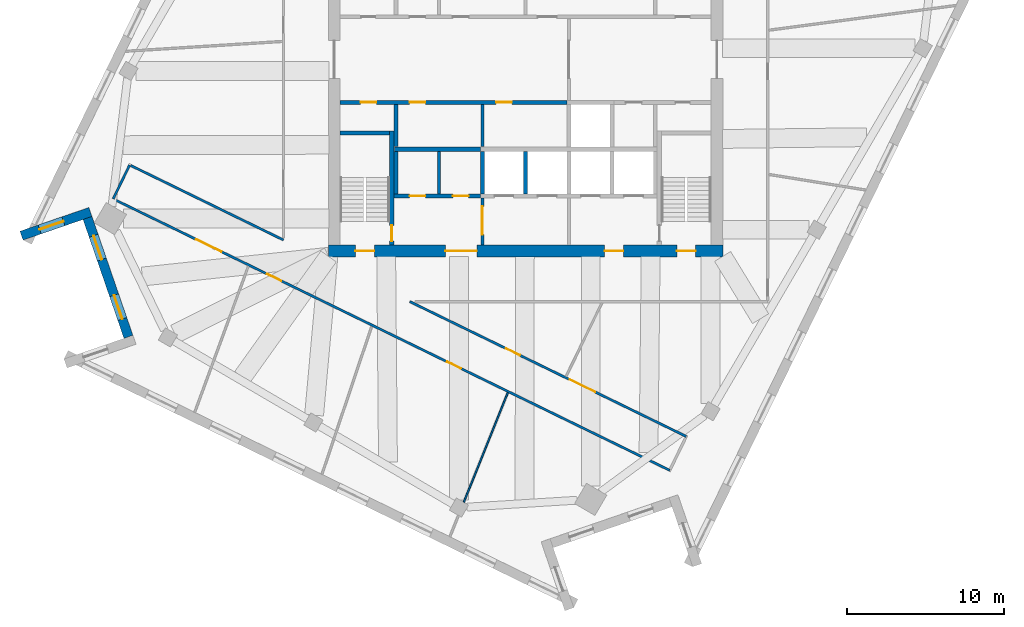
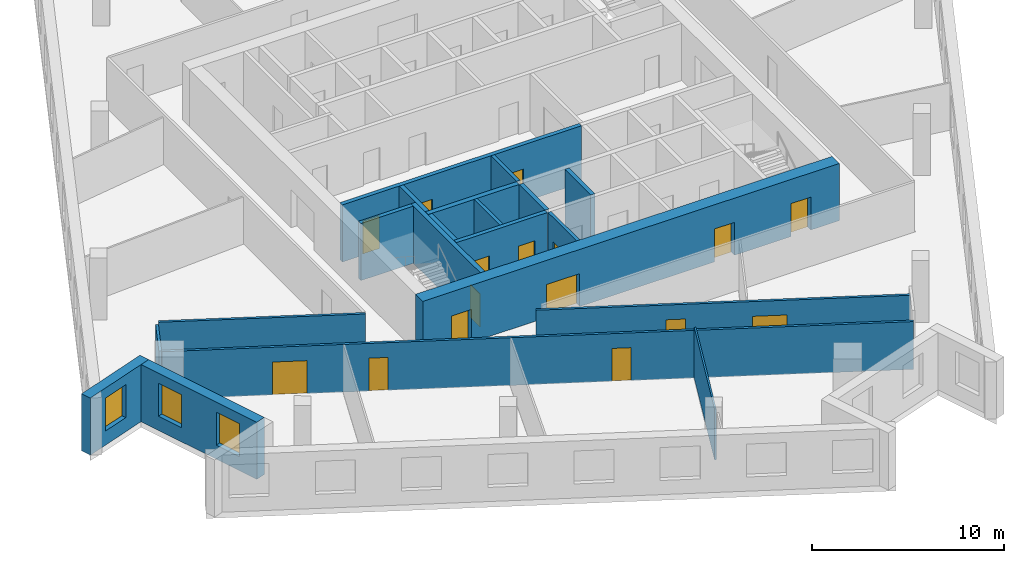
# One storey, part 6 of 13: 20 walls, 16 doors, 3 windows, 19 openings.
"""IFC4 building model written with IfcOpenShell, lengths in metres."""

from ifc_helpers import new_model, si_unit, direction, frame, frame_2d, origin, place, context, subcontext, project, spatial, rectangle, extrude, material, layer, layer_set, type_object, element, fill, save


model = new_model("IFC4")

# Units and contexts
model_context = context("Model", 3, precision=1e-05, world=origin(), true_north=direction((0.0, 1.0)))
body_context = subcontext(model_context, "Body", "Model", "MODEL_VIEW")
ifc_project = project(units=[si_unit("LENGTHUNIT", "METRE"), si_unit("AREAUNIT", "SQUARE_METRE"), si_unit("VOLUMEUNIT", "CUBIC_METRE"), si_unit("PLANEANGLEUNIT", "RADIAN"), si_unit("MASSUNIT", "GRAM", prefix="KILO")], contexts=[model_context])

# Site, building, storey
site_placement = place(None, origin())
site = spatial("IfcSite", under=ifc_project, at=site_placement, CompositionType="ELEMENT")
building_placement = place(site_placement, origin())
building = spatial("IfcBuilding", under=site, at=building_placement, Name="Dilmun Exchange Tower", CompositionType="ELEMENT")
storey_placement = place(building_placement, frame((0.0, 0.0, 282.89990234375)))
storey = spatial("IfcBuildingStorey", under=building, at=storey_placement, Name="L67", CompositionType="ELEMENT", Elevation=282.89990234375)

# Wall, opening, door
ifc_material_1 = material(Name="Concrete C40/50", Category="concrete")
ifc_layer_1 = layer(ifc_material_1, 0.199951171875)
ifc_layer_set_1 = layer_set([ifc_layer_1], Name="Concrete C40/50")
wall_type_1 = type_object("IfcWallType", Name="Core partition wall 200", PredefinedType="PARTITIONING", material=ifc_layer_set_1)
wall_1_placement = place(storey_placement, frame((-2.75, -11.794921875, 0.0), z_axis=(0.0, 0.0, 1.0), x_axis=(0.0, 1.0, 0.0)))
wall_1 = element("IfcWall", 1, at=wall_1_placement, inside=storey, type_object=wall_type_1, Name="L67 core partition wall 01", PredefinedType="PARTITIONING", context=body_context, shape_type="SweptSolid", body=[
    extrude(rectangle(XDim=2.989990234375, YDim=0.199951171875, at=frame_2d((1.4951171875, 0.0))), origin(), (0.0, 0.0, 1.0), 3.64013671875),
])
opening_1_placement = place(wall_1_placement, frame((0.657470703125, 0.0, 0.0)))
opening_1 = element("IfcOpeningElement", 2, at=opening_1_placement, cuts=wall_1, Name="Opening CD5", PredefinedType="OPENING", context=body_context, shape_type="SweptSolid", body=[
    extrude(rectangle(XDim=1.800048828125, YDim=2.10009765625, at=frame_2d((0.89990234375, 1.050048828125))), frame((0.0, 0.10986328125, 0.0), z_axis=(0.0, -1.0, 0.0), x_axis=(1.0, 0.0, 0.0)), (0.0, 0.0, 1.0), 0.219970703125),
])
ifc_material_2 = material(Name="Fire-rated steel door set", Category="steel")
door_type_1 = type_object("IfcDoorType", Name="Stair exit door 1800x2100", OperationType="SINGLE_SWING_LEFT", PredefinedType="DOOR", material=ifc_material_2)
door_1_placement = place(opening_1_placement, origin())
door_1 = element("IfcDoor", 3, at=door_1_placement, inside=storey, type_object=door_type_1, Name="L67 door Service lobby east", OperationType="SINGLE_SWING_LEFT", OverallHeight=2.10009765625, OverallWidth=1.800048828125, PredefinedType="DOOR", context=body_context, shape_type="SweptSolid", body=[
    extrude(rectangle(XDim=1.800048828125, YDim=2.10009765625, at=frame_2d((0.89990234375, 1.050048828125))), frame((0.0, 0.02490234375, 0.0), z_axis=(0.0, -1.0, 0.0), x_axis=(1.0, 0.0, 0.0)), (0.0, 0.0, 1.0), 0.050048828125),
])
fill(opening_1, door_1)

# Walls
for number, where, z_axis, x_axis, name in (
    (4, (-5.5, -8.544921875, 0.0), (0.0, 0.0, 1.0), (0.0, 1.0, 0.0), "L67 core partition wall 05"),
    (5, (-2.75, -5.544921875, 0.0), (0.0, 0.0, 1.0), (0.0, 1.0, 0.0), "L67 core partition wall 08"),
):
    element("IfcWall", number, at=place(storey_placement, frame(where, z_axis=z_axis, x_axis=x_axis)), inside=storey, type_object=wall_type_1, Name=name, PredefinedType="PARTITIONING", context=body_context, shape_type="SweptSolid", body=[
        extrude(rectangle(XDim=2.68994140625, YDim=0.199951171875, at=frame_2d((1.344970703125, 0.0))), origin(), (0.0, 0.0, 1.0), 3.64013671875),
    ])

# Wall, openings, doors
ifc_layer_2 = layer(ifc_material_1, 0.25)
ifc_layer_set_2 = layer_set([ifc_layer_2], Name="Concrete C40/50")
wall_type_2 = type_object("IfcWallType", Name="Core partition wall 250", PredefinedType="PARTITIONING", material=ifc_layer_set_2)
wall_2_placement = place(storey_placement, frame((-8.3701171875, -8.675048828125, 0.0), z_axis=(0.0, 0.0, 1.0), x_axis=(1.0, 0.0, 0.0)))
wall_2 = element("IfcWall", 6, at=wall_2_placement, inside=storey, type_object=wall_type_2, Name="L67 core partition wall 03", PredefinedType="PARTITIONING", context=body_context, shape_type="SweptSolid", body=[
    extrude(rectangle(XDim=5.490234375, YDim=0.25, at=frame_2d((2.7451171875, 0.0))), origin(), (0.0, 0.0, 1.0), 3.64013671875),
])
opening_2_placement = place(wall_2_placement, frame((0.9951171875, 0.0, 0.0)))
opening_2 = element("IfcOpeningElement", 7, at=opening_2_placement, cuts=wall_2, Name="Opening CD4", PredefinedType="OPENING", context=body_context, shape_type="SweptSolid", body=[
    extrude(rectangle(XDim=1.0, YDim=2.10009765625, at=frame_2d((0.5, 1.050048828125))), frame((0.0, 0.135009765625, 0.0), z_axis=(0.0, -1.0, 0.0), x_axis=(1.0, 0.0, 0.0)), (0.0, 0.0, 1.0), 0.27001953125),
])
opening_3_placement = place(wall_2_placement, frame((3.7451171875, 0.0, 0.0)))
opening_3 = element("IfcOpeningElement", 8, at=opening_3_placement, cuts=wall_2, Name="Opening CD4", PredefinedType="OPENING", context=body_context, shape_type="SweptSolid", body=[
    extrude(rectangle(XDim=1.0, YDim=2.10009765625, at=frame_2d((0.5, 1.050048828125))), frame((0.0, 0.135009765625, 0.0), z_axis=(0.0, -1.0, 0.0), x_axis=(1.0, 0.0, 0.0)), (0.0, 0.0, 1.0), 0.27001953125),
])
door_type_2 = type_object("IfcDoorType", Name="Core room door 1000x2100", OperationType="SINGLE_SWING_LEFT", PredefinedType="DOOR", material=ifc_material_2)
door_2_placement = place(opening_2_placement, origin())
door_2 = element("IfcDoor", 9, at=door_2_placement, inside=storey, type_object=door_type_2, Name="L67 door Male WC", OperationType="SINGLE_SWING_RIGHT", OverallHeight=2.10009765625, OverallWidth=1.0, PredefinedType="DOOR", context=body_context, shape_type="SweptSolid", body=[
    extrude(rectangle(XDim=1.0, YDim=2.10009765625, at=frame_2d((0.5, 1.050048828125))), frame((0.0, 0.02490234375, 0.0), z_axis=(0.0, -1.0, 0.0), x_axis=(1.0, 0.0, 0.0)), (0.0, 0.0, 1.0), 0.050048828125),
])
fill(opening_2, door_2)
door_3_placement = place(opening_3_placement, origin())
door_3 = element("IfcDoor", 10, at=door_3_placement, inside=storey, type_object=door_type_2, Name="L67 door Female WC", OperationType="SINGLE_SWING_RIGHT", OverallHeight=2.10009765625, OverallWidth=1.0, PredefinedType="DOOR", context=body_context, shape_type="SweptSolid", body=[
    extrude(rectangle(XDim=1.0, YDim=2.10009765625, at=frame_2d((0.5, 1.050048828125))), frame((0.0, 0.02490234375, 0.0), z_axis=(0.0, -1.0, 0.0), x_axis=(1.0, 0.0, 0.0)), (0.0, 0.0, 1.0), 0.050048828125),
])
fill(opening_3, door_3)

# Walls
for number, where, z_axis, x_axis, name in (
    (11, (-8.25, -8.544921875, 0.0), (0.0, 0.0, 1.0), (0.0, 1.0, 0.0), "L67 core partition wall 04"),
    (12, (-8.25, -5.544921875, 0.0), (0.0, 0.0, 1.0), (0.0, 1.0, 0.0), "L67 core partition wall 07"),
):
    element("IfcWall", number, at=place(storey_placement, frame(where, z_axis=z_axis, x_axis=x_axis)), inside=storey, type_object=wall_type_2, Name=name, PredefinedType="PARTITIONING", context=body_context, shape_type="SweptSolid", body=[
        extrude(rectangle(XDim=2.68994140625, YDim=0.25, at=frame_2d((1.344970703125, 0.0))), origin(), (0.0, 0.0, 1.0), 3.64013671875),
    ])

# Wall, openings, doors
wall_3_placement = place(storey_placement, frame((-11.794921875, -2.72509765625, 0.0), z_axis=(0.0, 0.0, 1.0), x_axis=(1.0, 0.0, 0.0)))
wall_3 = element("IfcWall", 13, at=wall_3_placement, inside=storey, type_object=wall_type_2, Name="L67 core partition wall 10", PredefinedType="PARTITIONING", context=body_context, shape_type="SweptSolid", body=[
    extrude(rectangle(XDim=14.4150390625, YDim=0.25, at=frame_2d((7.20751953125, 0.0))), origin(), (0.0, 0.0, 1.0), 3.64013671875),
])
opening_4_placement = place(wall_3_placement, frame((1.294921875, 0.0, 0.0)))
opening_4 = element("IfcOpeningElement", 14, at=opening_4_placement, cuts=wall_3, Name="Opening CD4", PredefinedType="OPENING", context=body_context, shape_type="SweptSolid", body=[
    extrude(rectangle(XDim=1.0, YDim=2.10009765625, at=frame_2d((0.5, 1.050048828125))), frame((0.0, 0.135009765625, 0.0), z_axis=(0.0, -1.0, 0.0), x_axis=(1.0, 0.0, 0.0)), (0.0, 0.0, 1.0), 0.27001953125),
])
opening_5_placement = place(wall_3_placement, frame((4.419921875, 0.0, 0.0)))
opening_5 = element("IfcOpeningElement", 15, at=opening_5_placement, cuts=wall_3, Name="Opening CD4", PredefinedType="OPENING", context=body_context, shape_type="SweptSolid", body=[
    extrude(rectangle(XDim=1.0, YDim=2.10009765625, at=frame_2d((0.5, 1.050048828125))), frame((0.0, 0.135009765625, 0.0), z_axis=(0.0, -1.0, 0.0), x_axis=(1.0, 0.0, 0.0)), (0.0, 0.0, 1.0), 0.27001953125),
])
opening_6_placement = place(wall_3_placement, frame((9.919921875, 0.0, 0.0)))
opening_6 = element("IfcOpeningElement", 16, at=opening_6_placement, cuts=wall_3, Name="Opening CD4", PredefinedType="OPENING", context=body_context, shape_type="SweptSolid", body=[
    extrude(rectangle(XDim=1.0, YDim=2.10009765625, at=frame_2d((0.5, 1.050048828125))), frame((0.0, 0.135009765625, 0.0), z_axis=(0.0, -1.0, 0.0), x_axis=(1.0, 0.0, 0.0)), (0.0, 0.0, 1.0), 0.27001953125),
])
door_4_placement = place(opening_4_placement, origin())
door_4 = element("IfcDoor", 17, at=door_4_placement, inside=storey, type_object=door_type_2, Name="L67 door Accessible WC", OperationType="SINGLE_SWING_RIGHT", OverallHeight=2.10009765625, OverallWidth=1.0, PredefinedType="DOOR", context=body_context, shape_type="SweptSolid", body=[
    extrude(rectangle(XDim=1.0, YDim=2.10009765625, at=frame_2d((0.5, 1.050048828125))), frame((0.0, 0.02490234375, 0.0), z_axis=(0.0, -1.0, 0.0), x_axis=(1.0, 0.0, 0.0)), (0.0, 0.0, 1.0), 0.050048828125),
])
fill(opening_4, door_4)
door_5_placement = place(opening_5_placement, origin())
door_5 = element("IfcDoor", 18, at=door_5_placement, inside=storey, type_object=door_type_2, Name="L67 door Mechanical room", OperationType="SINGLE_SWING_RIGHT", OverallHeight=2.10009765625, OverallWidth=1.0, PredefinedType="DOOR", context=body_context, shape_type="SweptSolid", body=[
    extrude(rectangle(XDim=1.0, YDim=2.10009765625, at=frame_2d((0.5, 1.050048828125))), frame((0.0, 0.02490234375, 0.0), z_axis=(0.0, -1.0, 0.0), x_axis=(1.0, 0.0, 0.0)), (0.0, 0.0, 1.0), 0.050048828125),
])
fill(opening_5, door_5)
door_6_placement = place(opening_6_placement, origin())
door_6 = element("IfcDoor", 19, at=door_6_placement, inside=storey, type_object=door_type_2, Name="L67 door Tenant services room", OperationType="SINGLE_SWING_RIGHT", OverallHeight=2.10009765625, OverallWidth=1.0, PredefinedType="DOOR", context=body_context, shape_type="SweptSolid", body=[
    extrude(rectangle(XDim=1.0, YDim=2.10009765625, at=frame_2d((0.5, 1.050048828125))), frame((0.0, 0.02490234375, 0.0), z_axis=(0.0, -1.0, 0.0), x_axis=(1.0, 0.0, 0.0)), (0.0, 0.0, 1.0), 0.050048828125),
])
fill(opening_6, door_6)

# Wall
ifc_layer_3 = layer(ifc_material_1, 0.300048828125)
ifc_layer_set_3 = layer_set([ifc_layer_3], Name="Concrete C40/50")
wall_type_3 = type_object("IfcWallType", Name="Core partition wall 300", PredefinedType="PARTITIONING", material=ifc_layer_set_3)
wall_4_placement = place(storey_placement, frame((-8.35009765625, -5.699951171875, 0.0), z_axis=(0.0, 0.0, 1.0), x_axis=(1.0, 0.0, 0.0)))
element("IfcWall", 20, at=wall_4_placement, inside=storey, type_object=wall_type_3, Name="L67 core partition wall 06", PredefinedType="PARTITIONING", context=body_context, shape_type="SweptSolid", body=[
    extrude(rectangle(XDim=5.47021484375, YDim=0.300048828125, at=frame_2d((2.735107421875, 0.0))), origin(), (0.0, 0.0, 1.0), 3.64013671875),
])

# Wall, openings, doors
ifc_material_3 = material(Name="Concrete C50/60", Category="concrete")
ifc_layer_4 = layer(ifc_material_3, 0.75)
ifc_layer_set_4 = layer_set([ifc_layer_4], Name="Concrete C50/60")
wall_type_4 = type_object("IfcWallType", Name="Core shear wall 750 Concrete C50/60", PredefinedType="SHEAR", material=ifc_layer_set_4)
wall_5_placement = place(storey_placement, frame((-12.550048828125, -12.175048828125, 0.0), z_axis=(0.0, 0.0, 1.0), x_axis=(1.0, 0.0, 0.0)))
wall_5 = element("IfcWall", 21, at=wall_5_placement, inside=storey, type_object=wall_type_4, Name="L67 core shear wall S", PredefinedType="SHEAR", context=body_context, shape_type="SweptSolid", body=[
    extrude(rectangle(XDim=25.10009765625, YDim=0.75, at=frame_2d((12.550048828125, 0.0))), origin(), (0.0, 0.0, 1.0), 3.64013671875),
])
opening_7_placement = place(wall_5_placement, frame((7.449951171875, 0.0, 0.0)))
opening_7 = element("IfcOpeningElement", 22, at=opening_7_placement, cuts=wall_5, Name="Opening CD2", PredefinedType="OPENING", context=body_context, shape_type="SweptSolid", body=[
    extrude(rectangle(XDim=2.0, YDim=2.10009765625, at=frame_2d((1.0, 1.050048828125))), frame((0.0, 0.385009765625, 0.0), z_axis=(0.0, -1.0, 0.0), x_axis=(1.0, 0.0, 0.0)), (0.0, 0.0, 1.0), 0.77001953125),
])
opening_8_placement = place(wall_5_placement, frame((17.574951171875, 0.0, 0.0)))
opening_8 = element("IfcOpeningElement", 23, at=opening_8_placement, cuts=wall_5, Name="Opening CD3", PredefinedType="OPENING", context=body_context, shape_type="SweptSolid", body=[
    extrude(rectangle(XDim=1.199951171875, YDim=2.10009765625, at=frame_2d((0.60009765625, 1.050048828125))), frame((0.0, 0.385009765625, 0.0), z_axis=(0.0, -1.0, 0.0), x_axis=(1.0, 0.0, 0.0)), (0.0, 0.0, 1.0), 0.77001953125),
])
opening_9_placement = place(wall_5_placement, frame((1.72509765625, 0.0, 0.0)))
opening_9 = element("IfcOpeningElement", 24, at=opening_9_placement, cuts=wall_5, Name="Opening CD3", PredefinedType="OPENING", context=body_context, shape_type="SweptSolid", body=[
    extrude(rectangle(XDim=1.199951171875, YDim=2.10009765625, at=frame_2d((0.60009765625, 1.050048828125))), frame((0.0, 0.385009765625, 0.0), z_axis=(0.0, -1.0, 0.0), x_axis=(1.0, 0.0, 0.0)), (0.0, 0.0, 1.0), 0.77001953125),
])
opening_10_placement = place(wall_5_placement, frame((22.175048828125, 0.0, 0.0)))
opening_10 = element("IfcOpeningElement", 25, at=opening_10_placement, cuts=wall_5, Name="Opening CD3", PredefinedType="OPENING", context=body_context, shape_type="SweptSolid", body=[
    extrude(rectangle(XDim=1.199951171875, YDim=2.10009765625, at=frame_2d((0.60009765625, 1.050048828125))), frame((0.0, 0.385009765625, 0.0), z_axis=(0.0, -1.0, 0.0), x_axis=(1.0, 0.0, 0.0)), (0.0, 0.0, 1.0), 0.77001953125),
])
door_type_3 = type_object("IfcDoorType", Name="Core service door 2000x2100", OperationType="DOUBLE_DOOR_DOUBLE_SWING", PredefinedType="DOOR", material=ifc_material_2)
door_7_placement = place(opening_7_placement, origin())
door_7 = element("IfcDoor", 26, at=door_7_placement, inside=storey, type_object=door_type_3, Name="L67 door South service lobby", OperationType="SINGLE_SWING_LEFT", OverallHeight=2.10009765625, OverallWidth=2.0, PredefinedType="DOOR", context=body_context, shape_type="SweptSolid", body=[
    extrude(rectangle(XDim=2.0, YDim=2.10009765625, at=frame_2d((1.0, 1.050048828125))), frame((0.0, 0.02490234375, 0.0), z_axis=(0.0, -1.0, 0.0), x_axis=(1.0, 0.0, 0.0)), (0.0, 0.0, 1.0), 0.050048828125),
])
fill(opening_7, door_7)
door_type_4 = type_object("IfcDoorType", Name="Stair exit door 1200x2100", OperationType="SINGLE_SWING_LEFT", PredefinedType="DOOR", material=ifc_material_2)
door_8_placement = place(opening_8_placement, origin())
door_8 = element("IfcDoor", 27, at=door_8_placement, inside=storey, type_object=door_type_4, Name="L67 door Fire-fighting lobby", OperationType="SINGLE_SWING_LEFT", OverallHeight=2.10009765625, OverallWidth=1.199951171875, PredefinedType="DOOR", context=body_context, shape_type="SweptSolid", body=[
    extrude(rectangle(XDim=1.199951171875, YDim=2.10009765625, at=frame_2d((0.60009765625, 1.050048828125))), frame((0.0, 0.02490234375, 0.0), z_axis=(0.0, -1.0, 0.0), x_axis=(1.0, 0.0, 0.0)), (0.0, 0.0, 1.0), 0.050048828125),
])
fill(opening_8, door_8)
door_9_placement = place(opening_9_placement, origin())
door_9 = element("IfcDoor", 28, at=door_9_placement, inside=storey, type_object=door_type_4, Name="L67 door Stair ST2", OperationType="SINGLE_SWING_LEFT", OverallHeight=2.10009765625, OverallWidth=1.199951171875, PredefinedType="DOOR", context=body_context, shape_type="SweptSolid", body=[
    extrude(rectangle(XDim=1.199951171875, YDim=2.10009765625, at=frame_2d((0.60009765625, 1.050048828125))), frame((0.0, 0.02490234375, 0.0), z_axis=(0.0, -1.0, 0.0), x_axis=(1.0, 0.0, 0.0)), (0.0, 0.0, 1.0), 0.050048828125),
])
fill(opening_9, door_9)
door_10_placement = place(opening_10_placement, origin())
door_10 = element("IfcDoor", 29, at=door_10_placement, inside=storey, type_object=door_type_4, Name="L67 door Stair ST3", OperationType="SINGLE_SWING_LEFT", OverallHeight=2.10009765625, OverallWidth=1.199951171875, PredefinedType="DOOR", context=body_context, shape_type="SweptSolid", body=[
    extrude(rectangle(XDim=1.199951171875, YDim=2.10009765625, at=frame_2d((0.60009765625, 1.050048828125))), frame((0.0, 0.02490234375, 0.0), z_axis=(0.0, -1.0, 0.0), x_axis=(1.0, 0.0, 0.0)), (0.0, 0.0, 1.0), 0.050048828125),
])
fill(opening_10, door_10)

# Wall
ifc_material_4 = material(Name="Corridor wall 150")
ifc_layer_5 = layer(ifc_material_4, 0.14990234375)
ifc_layer_set_5 = layer_set([ifc_layer_5], Name="Corridor wall 150")
wall_type_5 = type_object("IfcWallType", Name="Corridor wall 150", PredefinedType="PARTITIONING", material=ifc_layer_set_5)
wall_6_placement = place(storey_placement, frame((-26.241943359375, -8.864990234375, 0.0), z_axis=(0.0, 0.0, 1.0), x_axis=(0.438361496965, 0.898798752769, 0.0)))
element("IfcWall", 30, at=wall_6_placement, inside=storey, type_object=wall_type_5, Name="Corridor wall", PredefinedType="PARTITIONING", context=body_context, shape_type="SweptSolid", body=[
    extrude(rectangle(XDim=2.39990234375, YDim=0.14990234375, at=frame_2d((1.199951171875, 0.0))), origin(), (0.0, 0.0, 1.0), 3.0400390625),
])

# Wall, openings, doors
wall_7_placement = place(storey_placement, frame((-26.174560546875, -8.89794921875, 0.0), z_axis=(0.0, 0.0, 1.0), x_axis=(0.898795233888, -0.438368711864, 0.0)))
wall_7 = element("IfcWall", 31, at=wall_7_placement, inside=storey, type_object=wall_type_5, Name="Corridor wall", PredefinedType="PARTITIONING", context=body_context, shape_type="SweptSolid", body=[
    extrude(rectangle(XDim=39.325439453125, YDim=0.14990234375, at=frame_2d((19.66259765625, 0.0))), origin(), (0.0, 0.0, 1.0), 3.0400390625),
])
opening_11_placement = place(wall_7_placement, frame((5.800048828125, 0.0, 0.0)))
opening_11 = element("IfcOpeningElement", 32, at=opening_11_placement, cuts=wall_7, Name="Opening TF67-D01", PredefinedType="OPENING", context=body_context, shape_type="SweptSolid", body=[
    extrude(rectangle(XDim=1.800048828125, YDim=2.10009765625, at=frame_2d((0.89990234375, 1.050048828125))), frame((0.0, 0.0849609375, 0.0), z_axis=(0.0, -1.0, 0.0), x_axis=(1.0, 0.0, 0.0)), (0.0, 0.0, 1.0), 0.169921875),
])
opening_12_placement = place(wall_7_placement, frame((10.826904296875, 0.0, 0.0)))
opening_12 = element("IfcOpeningElement", 33, at=opening_12_placement, cuts=wall_7, Name="Opening TF67-D04", PredefinedType="OPENING", context=body_context, shape_type="SweptSolid", body=[
    extrude(rectangle(XDim=1.0, YDim=2.10009765625, at=frame_2d((0.5, 1.050048828125))), frame((0.0, 0.0849609375, 0.0), z_axis=(0.0, -1.0, 0.0), x_axis=(1.0, 0.0, 0.0)), (0.0, 0.0, 1.0), 0.169921875),
])
opening_13_placement = place(wall_7_placement, frame((23.55615234375, 0.0, 0.0)))
opening_13 = element("IfcOpeningElement", 34, at=opening_13_placement, cuts=wall_7, Name="Opening TF67-D07", PredefinedType="OPENING", context=body_context, shape_type="SweptSolid", body=[
    extrude(rectangle(XDim=1.0, YDim=2.10009765625, at=frame_2d((0.5, 1.050048828125))), frame((0.0, 0.0849609375, 0.0), z_axis=(0.0, -1.0, 0.0), x_axis=(1.0, 0.0, 0.0)), (0.0, 0.0, 1.0), 0.169921875),
])
ifc_material_5 = material(Name="Fire door 1000 x 2100")
door_type_5 = type_object("IfcDoorType", Name="Fire door 1000 x 2100", OperationType="NOTDEFINED", PredefinedType="DOOR", material=ifc_material_5)
door_11_placement = place(opening_12_placement, frame((1.0, 0.0, 0.0), z_axis=(0.0, 0.0, 1.0), x_axis=(-1.0, 0.0, 0.0)))
door_11 = element("IfcDoor", 35, at=door_11_placement, inside=storey, type_object=door_type_5, Name="Door TF67-D04", OperationType="SINGLE_SWING_RIGHT", OverallHeight=2.10009765625, OverallWidth=1.0, PredefinedType="DOOR", context=body_context, shape_type="SweptSolid", body=[
    extrude(rectangle(XDim=1.0, YDim=2.10009765625, at=frame_2d((0.5, 1.050048828125))), frame((0.0, 0.02490234375, 0.0), z_axis=(0.0, -1.0, 0.0), x_axis=(1.0, 0.0, 0.0)), (0.0, 0.0, 1.0), 0.050048828125),
])
fill(opening_12, door_11)
door_12_placement = place(opening_13_placement, frame((1.0, 0.0, 0.0), z_axis=(0.0, 0.0, 1.0), x_axis=(-1.0, 0.0, 0.0)))
door_12 = element("IfcDoor", 36, at=door_12_placement, inside=storey, type_object=door_type_5, Name="Door TF67-D07", OperationType="SINGLE_SWING_LEFT", OverallHeight=2.10009765625, OverallWidth=1.0, PredefinedType="DOOR", context=body_context, shape_type="SweptSolid", body=[
    extrude(rectangle(XDim=1.0, YDim=2.10009765625, at=frame_2d((0.5, 1.050048828125))), frame((0.0, 0.02490234375, 0.0), z_axis=(0.0, -1.0, 0.0), x_axis=(1.0, 0.0, 0.0)), (0.0, 0.0, 1.0), 0.050048828125),
])
fill(opening_13, door_12)
ifc_material_6 = material(Name="Fire door pair 1800 x 2100")
door_type_6 = type_object("IfcDoorType", Name="Fire door pair 1800 x 2100", OperationType="NOTDEFINED", PredefinedType="DOOR", material=ifc_material_6)
door_13_placement = place(opening_11_placement, frame((1.800048828125, 0.0, 0.0), z_axis=(0.0, 0.0, 1.0), x_axis=(-1.0, 0.0, 0.0)))
door_13 = element("IfcDoor", 37, at=door_13_placement, inside=storey, type_object=door_type_6, Name="Door TF67-D01", OperationType="DOUBLE_DOOR_SINGLE_SWING", OverallHeight=2.10009765625, OverallWidth=1.800048828125, PredefinedType="DOOR", context=body_context, shape_type="SweptSolid", body=[
    extrude(rectangle(XDim=1.800048828125, YDim=2.10009765625, at=frame_2d((0.89990234375, 1.050048828125))), frame((0.0, 0.02490234375, 0.0), z_axis=(0.0, -1.0, 0.0), x_axis=(1.0, 0.0, 0.0)), (0.0, 0.0, 1.0), 0.050048828125),
])
fill(opening_11, door_13)

# Wall
wall_8_placement = place(storey_placement, frame((-25.12255859375, -6.740966796875, 0.0), z_axis=(0.0, 0.0, 1.0), x_axis=(0.898798159951, -0.438362712453, 0.0)))
element("IfcWall", 38, at=wall_8_placement, inside=storey, type_object=wall_type_5, Name="Corridor wall", PredefinedType="PARTITIONING", context=body_context, shape_type="SweptSolid", body=[
    extrude(rectangle(XDim=10.8173828125, YDim=0.14990234375, at=frame_2d((5.40869140625, 0.0))), origin(), (0.0, 0.0, 1.0), 3.239990234375),
])

# Wall, openings, doors
wall_9_placement = place(storey_placement, frame((-7.367919921875, -15.39990234375, 0.0), z_axis=(0.0, 0.0, 1.0), x_axis=(0.898784749485, -0.438390207571, 0.0)))
wall_9 = element("IfcWall", 39, at=wall_9_placement, inside=storey, type_object=wall_type_5, Name="Corridor wall", PredefinedType="PARTITIONING", context=body_context, shape_type="SweptSolid", body=[
    extrude(rectangle(XDim=19.57177734375, YDim=0.14990234375, at=frame_2d((9.785888671875, 0.0))), origin(), (0.0, 0.0, 1.0), 3.0400390625),
])
opening_14_placement = place(wall_9_placement, frame((6.800048828125, 0.0, 0.0)))
opening_14 = element("IfcOpeningElement", 40, at=opening_14_placement, cuts=wall_9, Name="Opening TF67-D09", PredefinedType="OPENING", context=body_context, shape_type="SweptSolid", body=[
    extrude(rectangle(XDim=1.0, YDim=2.10009765625, at=frame_2d((0.5, 1.050048828125))), frame((0.0, 0.0849609375, 0.0), z_axis=(0.0, -1.0, 0.0), x_axis=(1.0, 0.0, 0.0)), (0.0, 0.0, 1.0), 0.169921875),
])
opening_15_placement = place(wall_9_placement, frame((11.323974609375, 0.0, 0.0)))
opening_15 = element("IfcOpeningElement", 41, at=opening_15_placement, cuts=wall_9, Name="Opening TF67-D12", PredefinedType="OPENING", context=body_context, shape_type="SweptSolid", body=[
    extrude(rectangle(XDim=1.800048828125, YDim=2.10009765625, at=frame_2d((0.89990234375, 1.050048828125))), frame((0.0, 0.0849609375, 0.0), z_axis=(0.0, -1.0, 0.0), x_axis=(1.0, 0.0, 0.0)), (0.0, 0.0, 1.0), 0.169921875),
])
door_14_placement = place(opening_14_placement, origin())
door_14 = element("IfcDoor", 42, at=door_14_placement, inside=storey, type_object=door_type_5, Name="Door TF67-D09", OperationType="SINGLE_SWING_LEFT", OverallHeight=2.10009765625, OverallWidth=1.0, PredefinedType="DOOR", context=body_context, shape_type="SweptSolid", body=[
    extrude(rectangle(XDim=1.0, YDim=2.10009765625, at=frame_2d((0.5, 1.050048828125))), frame((0.0, 0.02490234375, 0.0), z_axis=(0.0, -1.0, 0.0), x_axis=(1.0, 0.0, 0.0)), (0.0, 0.0, 1.0), 0.050048828125),
])
fill(opening_14, door_14)
door_15_placement = place(opening_15_placement, origin())
door_15 = element("IfcDoor", 43, at=door_15_placement, inside=storey, type_object=door_type_6, Name="Door TF67-D12", OperationType="DOUBLE_DOOR_SINGLE_SWING", OverallHeight=2.10009765625, OverallWidth=1.800048828125, PredefinedType="DOOR", context=body_context, shape_type="SweptSolid", body=[
    extrude(rectangle(XDim=1.800048828125, YDim=2.10009765625, at=frame_2d((0.89990234375, 1.050048828125))), frame((0.0, 0.02490234375, 0.0), z_axis=(0.0, -1.0, 0.0), x_axis=(1.0, 0.0, 0.0)), (0.0, 0.0, 1.0), 0.050048828125),
])
fill(opening_15, door_15)

# Walls
ifc_layer_6 = layer(ifc_material_1, 0.25)
ifc_layer_set_6 = layer_set([ifc_layer_6], Name="Concrete C40/50")
wall_type_6 = type_object("IfcWallType", Name="Lift shaft wall 250", PredefinedType="SOLIDWALL", material=ifc_layer_set_6)
for number, where, z_axis, x_axis, name in (
    (44, (-2.75, -8.550048828125, 0.0), (0.0, 0.0, 1.0), (0.0, 1.0, 0.0), "L67 lift shaft divider S22"),
    (45, (0.0, -8.550048828125, 0.0), (0.0, 0.0, 1.0), (0.0, 1.0, 0.0), "L67 lift shaft divider S23"),
):
    element("IfcWall", number, at=place(storey_placement, frame(where, z_axis=z_axis, x_axis=x_axis)), inside=storey, type_object=wall_type_6, Name=name, PredefinedType="SOLIDWALL", context=body_context, shape_type="SweptSolid", body=[
        extrude(rectangle(XDim=2.699951171875, YDim=0.25, at=frame_2d((1.35009765625, 0.0))), origin(), (0.0, 0.0, 1.0), 3.64013671875),
    ])
ifc_material_7 = material(Name="Partition 100")
ifc_layer_7 = layer(ifc_material_7, 0.10009765625)
ifc_layer_set_7 = layer_set([ifc_layer_7], Name="Partition 100")
wall_type_7 = type_object("IfcWallType", Name="Partition 100", PredefinedType="PARTITIONING", material=ifc_layer_set_7)
wall_10_placement = place(storey_placement, frame((-3.93408203125, -28.16357421875, 0.0), z_axis=(0.0, 0.0, 1.0), x_axis=(0.373060891907, 0.92780686079, 0.0)))
element("IfcWall", 46, at=wall_10_placement, inside=storey, type_object=wall_type_7, Name="Partition", PredefinedType="PARTITIONING", context=body_context, shape_type="SweptSolid", body=[
    extrude(rectangle(XDim=7.507568359375, YDim=0.10009765625, at=frame_2d((3.75390625, 0.0))), origin(), (0.0, 0.0, 1.0), 3.239990234375),
])

# Wall, opening, window
ifc_material_8 = material(Name="Precast concrete C50/60", Category="concrete")
ifc_layer_8 = layer(ifc_material_8, 0.60009765625)
ifc_layer_set_8 = layer_set([ifc_layer_8], Name="Precast concrete C50/60")
wall_type_8 = type_object("IfcWallType", Name="Precast stone-clad wall 600", PredefinedType="STANDARD", material=ifc_layer_set_8)
wall_11_placement = place(storey_placement, frame((-32.0703125, -11.206298828125, 0.0), z_axis=(0.0, 0.0, 1.0), x_axis=(0.945524563242, 0.325550764561, 0.0)))
wall_11 = element("IfcWall", 47, at=wall_11_placement, inside=storey, type_object=wall_type_8, Name="Facade wall L67-04", PredefinedType="STANDARD", context=body_context, shape_type="SweptSolid", body=[
    extrude(rectangle(XDim=4.63525390625, YDim=0.60009765625, at=frame_2d((2.317626953125, 0.0))), origin(), (0.0, 0.0, 1.0), 3.64013671875),
])
opening_16_placement = place(wall_11_placement, frame((1.2177734375, 0.0, 0.89990234375)))
opening_16 = element("IfcOpeningElement", 48, at=opening_16_placement, cuts=wall_11, Name="Opening W160-210", PredefinedType="OPENING", context=body_context, shape_type="SweptSolid", body=[
    extrude(rectangle(XDim=1.60009765625, YDim=2.10009765625, at=frame_2d((0.800048828125, 1.050048828125))), frame((0.0, 0.31005859375, 0.0), z_axis=(0.0, -1.0, 0.0), x_axis=(1.0, 0.0, 0.0)), (0.0, 0.0, 1.0), 0.6201171875),
])
ifc_material_9 = material(Name="Clear low-emissivity glass in aluminium frame", Category="aluminium")
window_type = type_object("IfcWindowType", Name="Punched window 1600 x 2100", PartitioningType="DOUBLE_PANEL_VERTICAL", PredefinedType="WINDOW", material=ifc_material_9)
window_1_placement = place(opening_16_placement, origin())
window_1 = element("IfcWindow", 49, at=window_1_placement, inside=storey, type_object=window_type, Name="Window 5.1", OverallHeight=2.10009765625, OverallWidth=1.60009765625, PartitioningType="SINGLE_PANEL", PredefinedType="WINDOW", context=body_context, shape_type="SweptSolid", body=[
    extrude(rectangle(XDim=1.60009765625, YDim=2.10009765625, at=frame_2d((0.800048828125, 1.050048828125))), frame((0.0, 0.030029296875, 0.0), z_axis=(0.0, -1.0, 0.0), x_axis=(1.0, 0.0, 0.0)), (0.0, 0.0, 1.0), 0.06005859375),
])
fill(opening_16, window_1)

# Wall, openings, windows
wall_12_placement = place(storey_placement, frame((-27.873291015625, -10.07861328125, 0.0), z_axis=(0.0, 0.0, 1.0), x_axis=(0.325569297229, -0.945518182111, 0.0)))
wall_12 = element("IfcWall", 50, at=wall_12_placement, inside=storey, type_object=wall_type_8, Name="Facade wall L67-05", PredefinedType="STANDARD", context=body_context, shape_type="SweptSolid", body=[
    extrude(rectangle(XDim=7.999755859375, YDim=0.60009765625, at=frame_2d((4.0, 0.0))), origin(), (0.0, 0.0, 1.0), 3.64013671875),
])
opening_17_placement = place(wall_12_placement, frame((1.199951171875, 0.0, 0.89990234375)))
opening_17 = element("IfcOpeningElement", 51, at=opening_17_placement, cuts=wall_12, Name="Opening W160-210", PredefinedType="OPENING", context=body_context, shape_type="SweptSolid", body=[
    extrude(rectangle(XDim=1.60009765625, YDim=2.10009765625, at=frame_2d((0.800048828125, 1.050048828125))), frame((0.0, 0.31005859375, 0.0), z_axis=(0.0, -1.0, 0.0), x_axis=(1.0, 0.0, 0.0)), (0.0, 0.0, 1.0), 0.6201171875),
])
opening_18_placement = place(wall_12_placement, frame((5.199951171875, 0.0, 0.89990234375)))
opening_18 = element("IfcOpeningElement", 52, at=opening_18_placement, cuts=wall_12, Name="Opening W160-210", PredefinedType="OPENING", context=body_context, shape_type="SweptSolid", body=[
    extrude(rectangle(XDim=1.60009765625, YDim=2.10009765625, at=frame_2d((0.800048828125, 1.050048828125))), frame((0.0, 0.31005859375, 0.0), z_axis=(0.0, -1.0, 0.0), x_axis=(1.0, 0.0, 0.0)), (0.0, 0.0, 1.0), 0.6201171875),
])
window_2_placement = place(opening_17_placement, origin())
window_2 = element("IfcWindow", 53, at=window_2_placement, inside=storey, type_object=window_type, Name="Window 6.1", OverallHeight=2.10009765625, OverallWidth=1.60009765625, PartitioningType="SINGLE_PANEL", PredefinedType="WINDOW", context=body_context, shape_type="SweptSolid", body=[
    extrude(rectangle(XDim=1.60009765625, YDim=2.10009765625, at=frame_2d((0.800048828125, 1.050048828125))), frame((0.0, 0.030029296875, 0.0), z_axis=(0.0, -1.0, 0.0), x_axis=(1.0, 0.0, 0.0)), (0.0, 0.0, 1.0), 0.06005859375),
])
fill(opening_17, window_2)
window_3_placement = place(opening_18_placement, origin())
window_3 = element("IfcWindow", 54, at=window_3_placement, inside=storey, type_object=window_type, Name="Window 6.2", OverallHeight=2.10009765625, OverallWidth=1.60009765625, PartitioningType="SINGLE_PANEL", PredefinedType="WINDOW", context=body_context, shape_type="SweptSolid", body=[
    extrude(rectangle(XDim=1.60009765625, YDim=2.10009765625, at=frame_2d((0.800048828125, 1.050048828125))), frame((0.0, 0.030029296875, 0.0), z_axis=(0.0, -1.0, 0.0), x_axis=(1.0, 0.0, 0.0)), (0.0, 0.0, 1.0), 0.06005859375),
])
fill(opening_18, window_3)

# Wall
ifc_layer_9 = layer(ifc_material_1, 0.25)
ifc_layer_set_9 = layer_set([ifc_layer_9], Name="Concrete C40/50")
wall_type_9 = type_object("IfcWallType", Name="Stair end wall 250", PredefinedType="SOLIDWALL", material=ifc_layer_set_9)
wall_13_placement = place(storey_placement, frame((-8.64990234375, -4.675048828125, 0.0), z_axis=(0.0, 0.0, 1.0), x_axis=(-1.0, 0.0, 0.0)))
element("IfcWall", 55, at=wall_13_placement, inside=storey, type_object=wall_type_9, Name="L67 ST2 far wall", PredefinedType="SOLIDWALL", context=body_context, shape_type="SweptSolid", body=[
    extrude(rectangle(XDim=3.150146484375, YDim=0.25, at=frame_2d((1.5751953125, 0.0))), origin(), (0.0, 0.0, 1.0), 3.64013671875),
])

# Wall, opening, door
ifc_layer_10 = layer(ifc_material_1, 0.27490234375)
ifc_layer_set_10 = layer_set([ifc_layer_10], Name="Concrete C40/50")
wall_type_10 = type_object("IfcWallType", Name="Stair wall 275", PredefinedType="SOLIDWALL", material=ifc_layer_set_10)
wall_14_placement = place(storey_placement, frame((-8.512451171875, -4.550048828125, 0.0), z_axis=(0.0, 0.0, 1.0), x_axis=(0.0, -1.0, 0.0)))
wall_14 = element("IfcWall", 56, at=wall_14_placement, inside=storey, type_object=wall_type_10, Name="L67 ST2 wall to lift block", PredefinedType="SOLIDWALL", context=body_context, shape_type="SweptSolid", body=[
    extrude(rectangle(XDim=7.25, YDim=0.27490234375, at=frame_2d((3.625, 0.0))), origin(), (0.0, 0.0, 1.0), 3.64013671875),
])
opening_19_placement = place(wall_14_placement, frame((6.0, 0.0, 0.0)))
opening_19 = element("IfcOpeningElement", 57, at=opening_19_placement, cuts=wall_14, Name="Opening CD4", PredefinedType="OPENING", context=body_context, shape_type="SweptSolid", body=[
    extrude(rectangle(XDim=1.0, YDim=2.10009765625, at=frame_2d((0.5, 1.050048828125))), frame((0.0, 0.1474609375, 0.0), z_axis=(0.0, -1.0, 0.0), x_axis=(1.0, 0.0, 0.0)), (0.0, 0.0, 1.0), 0.294921875),
])
door_16_placement = place(opening_19_placement, origin())
door_16 = element("IfcDoor", 58, at=door_16_placement, inside=storey, type_object=door_type_2, Name="L67 door ST2 from lobby", OperationType="SINGLE_SWING_LEFT", OverallHeight=2.10009765625, OverallWidth=1.0, PredefinedType="DOOR", context=body_context, shape_type="SweptSolid", body=[
    extrude(rectangle(XDim=1.0, YDim=2.10009765625, at=frame_2d((0.5, 1.050048828125))), frame((0.0, 0.02490234375, 0.0), z_axis=(0.0, -1.0, 0.0), x_axis=(1.0, 0.0, 0.0)), (0.0, 0.0, 1.0), 0.050048828125),
])
fill(opening_19, door_16)

save(model, "model.ifc")
